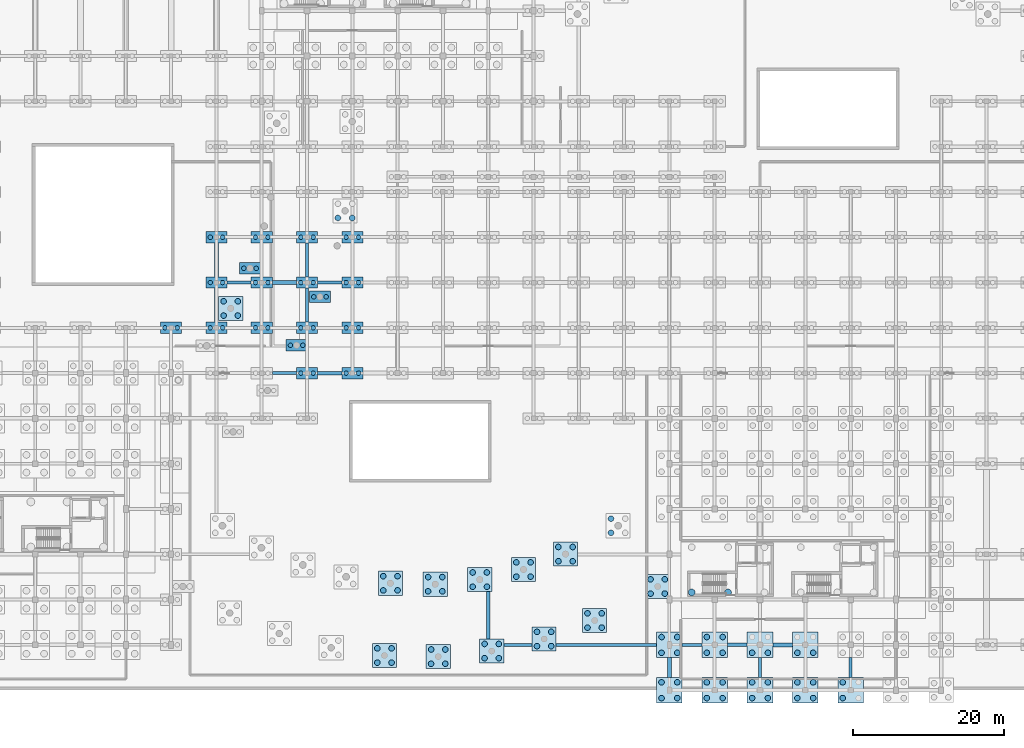
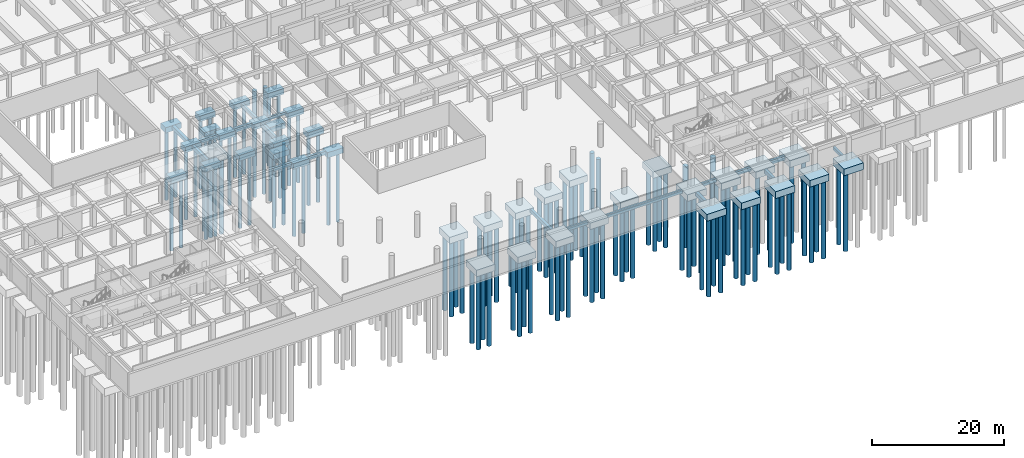
# One storey, part 3 of 41: 120 piles, 57 footings.
"""IFC4 building model written with IfcOpenShell, lengths in metres."""

from ifc_helpers import new_model, si_unit, direction, frame, origin, origin_2d, place, context, subcontext, project, spatial, polyline, rectangle, circle, outline, extrude, material, material_profile, profile_set, type_object, element, save


model = new_model("IFC4")

# Units and contexts
model_context = context("Model", 3, precision=1e-05, world=origin(), true_north=direction((0.0, 1.0)))
body_context = subcontext(model_context, "Body", "Model", "MODEL_VIEW")
ifc_project = project(units=[si_unit("LENGTHUNIT", "METRE"), si_unit("AREAUNIT", "SQUARE_METRE"), si_unit("VOLUMEUNIT", "CUBIC_METRE"), si_unit("PLANEANGLEUNIT", "RADIAN"), si_unit("MASSUNIT", "GRAM", prefix="KILO"), si_unit("POWERUNIT", "WATT"), si_unit("THERMODYNAMICTEMPERATUREUNIT", "KELVIN")], contexts=[model_context])

# Site, building, storey
site_placement = place(None, origin())
site = spatial("IfcSite", under=ifc_project, at=site_placement, CompositionType="ELEMENT")
building_placement = place(site_placement, origin())
building = spatial("IfcBuilding", under=site, at=building_placement, Name="Ruvembo Vaulted Housing Court", CompositionType="ELEMENT")
storey_placement = place(building_placement, frame((0.0, 0.0, -4.5)))
storey = spatial("IfcBuildingStorey", under=building, at=storey_placement, Name="B1", CompositionType="ELEMENT", Elevation=-4.5)

# Footings
ifc_material_1 = material(Name="Concrete C30/37", Category="concrete")
footing_type_1 = type_object("IfcFootingType", Name="GB-350x550", PredefinedType="FOOTING_BEAM", material=ifc_material_1)
footing_1_placement = place(storey_placement, frame((0.0, 0.0, -0.85009765625)))
element("IfcFooting", 1, at=footing_1_placement, inside=storey, type_object=footing_type_1, Name="Ground Tie Beam GB-090", PredefinedType="FOOTING_BEAM", context=body_context, shape_type="SweptSolid", body=[
    extrude(outline(polyline([(55.39990234375, 53.824951171875), (58.60009765625, 53.824951171875), (58.60009765625, 54.175048828125), (55.39990234375, 54.175048828125), (55.39990234375, 53.824951171875)])), origin(), (0.0, 0.0, 1.0), 0.550048828125),
])
footing_type_2 = type_object("IfcFootingType", Name="GB-380x580", PredefinedType="FOOTING_BEAM", material=ifc_material_1)
footing_2_placement = place(storey_placement, frame((0.0, 0.0, -0.8798828125)))
element("IfcFooting", 2, at=footing_2_placement, inside=storey, type_object=footing_type_2, Name="Ground Tie Beam GB-007", PredefinedType="FOOTING_BEAM", context=body_context, shape_type="SweptSolid", body=[
    extrude(outline(polyline([(80.061767578125, 5.81005859375), (83.802978515625, 5.81005859375), (83.802978515625, 6.18994140625), (80.061767578125, 6.18994140625), (80.061767578125, 5.81005859375)])), origin(), (0.0, 0.0, 1.0), 0.579833984375),
])
footing_3_placement = place(storey_placement, frame((0.0, 0.0, -0.8798828125)))
element("IfcFooting", 3, at=footing_3_placement, inside=storey, type_object=footing_type_2, Name="Ground Tie Beam GB-223", PredefinedType="FOOTING_BEAM", context=body_context, shape_type="SweptSolid", body=[
    extrude(outline(polyline([(53.81005859375, 48.75), (54.18994140625, 48.75), (54.18994140625, 53.25), (53.81005859375, 53.25), (53.81005859375, 48.75)])), origin(), (0.0, 0.0, 1.0), 0.579833984375),
])
footing_4_placement = place(storey_placement, frame((0.0, 0.0, -0.8798828125)))
element("IfcFooting", 4, at=footing_4_placement, inside=storey, type_object=footing_type_2, Name="Ground Tie Beam GB-283", PredefinedType="FOOTING_BEAM", context=body_context, shape_type="SweptSolid", body=[
    extrude(outline(polyline([(125.81005859375, 1.699951171875), (126.18994140625, 1.699951171875), (126.18994140625, 4.300048828125), (125.81005859375, 4.300048828125), (125.81005859375, 1.699951171875)])), origin(), (0.0, 0.0, 1.0), 0.579833984375),
])
footing_type_3 = type_object("IfcFootingType", Name="GB-400x600", PredefinedType="FOOTING_BEAM", material=ifc_material_1)
footing_5_placement = place(storey_placement, frame((0.0, 0.0, -0.89990234375)))
element("IfcFooting", 5, at=footing_5_placement, inside=storey, type_object=footing_type_3, Name="Ground Tie Beam GB-008", PredefinedType="FOOTING_BEAM", context=body_context, shape_type="SweptSolid", body=[
    extrude(outline(polyline([(87.003173828125, 5.800048828125), (100.300048828125, 5.800048828125), (100.300048828125, 6.199951171875), (87.003173828125, 6.199951171875), (87.003173828125, 5.800048828125)])), origin(), (0.0, 0.0, 1.0), 0.599853515625),
])
footing_6_placement = place(storey_placement, frame((0.0, 0.0, -0.89990234375)))
element("IfcFooting", 6, at=footing_6_placement, inside=storey, type_object=footing_type_3, Name="Ground Tie Beam GB-224", PredefinedType="FOOTING_BEAM", context=body_context, shape_type="SweptSolid", body=[
    extrude(outline(polyline([(53.800048828125, 54.75), (54.199951171875, 54.75), (54.199951171875, 59.25), (53.800048828125, 59.25), (53.800048828125, 54.75)])), origin(), (0.0, 0.0, 1.0), 0.599853515625),
])
footing_type_4 = type_object("IfcFootingType", Name="GB-420x620", PredefinedType="FOOTING_BEAM", material=ifc_material_1)
footing_7_placement = place(storey_placement, frame((0.0, 0.0, -0.919921875)))
element("IfcFooting", 7, at=footing_7_placement, inside=storey, type_object=footing_type_4, Name="Ground Tie Beam GB-009", PredefinedType="FOOTING_BEAM", context=body_context, shape_type="SweptSolid", body=[
    extrude(outline(polyline([(103.699951171875, 5.7900390625), (106.300048828125, 5.7900390625), (106.300048828125, 6.2099609375), (103.699951171875, 6.2099609375), (103.699951171875, 5.7900390625)])), origin(), (0.0, 0.0, 1.0), 0.619873046875),
])
footing_8_placement = place(storey_placement, frame((0.0, 0.0, -0.919921875)))
element("IfcFooting", 8, at=footing_8_placement, inside=storey, type_object=footing_type_4, Name="Ground Tie Beam GB-063", PredefinedType="FOOTING_BEAM", context=body_context, shape_type="SweptSolid", body=[
    extrude(outline(polyline([(49.39990234375, 41.7900390625), (52.60009765625, 41.7900390625), (52.60009765625, 42.2099609375), (49.39990234375, 42.2099609375), (49.39990234375, 41.7900390625)])), origin(), (0.0, 0.0, 1.0), 0.619873046875),
])
footing_9_placement = place(storey_placement, frame((0.0, 0.0, -0.919921875)))
element("IfcFooting", 9, at=footing_9_placement, inside=storey, type_object=footing_type_4, Name="Ground Tie Beam GB-273", PredefinedType="FOOTING_BEAM", context=body_context, shape_type="SweptSolid", body=[
    extrude(outline(polyline([(113.7900390625, 1.699951171875), (114.2099609375, 1.699951171875), (114.2099609375, 4.300048828125), (113.7900390625, 4.300048828125), (113.7900390625, 1.699951171875)])), origin(), (0.0, 0.0, 1.0), 0.619873046875),
])
footing_type_5 = type_object("IfcFootingType", Name="GB-450x650", PredefinedType="FOOTING_BEAM", material=ifc_material_1)
footing_10_placement = place(storey_placement, frame((0.0, 0.0, -0.949951171875)))
element("IfcFooting", 10, at=footing_10_placement, inside=storey, type_object=footing_type_5, Name="Ground Tie Beam GB-010", PredefinedType="FOOTING_BEAM", context=body_context, shape_type="SweptSolid", body=[
    extrude(outline(polyline([(109.699951171875, 5.77490234375), (112.300048828125, 5.77490234375), (112.300048828125, 6.22509765625), (109.699951171875, 6.22509765625), (109.699951171875, 5.77490234375)])), origin(), (0.0, 0.0, 1.0), 0.64990234375),
])
footing_11_placement = place(storey_placement, frame((0.0, 0.0, -0.949951171875)))
element("IfcFooting", 11, at=footing_11_placement, inside=storey, type_object=footing_type_5, Name="Ground Tie Beam GB-064", PredefinedType="FOOTING_BEAM", context=body_context, shape_type="SweptSolid", body=[
    extrude(outline(polyline([(55.39990234375, 41.77490234375), (58.60009765625, 41.77490234375), (58.60009765625, 42.22509765625), (55.39990234375, 42.22509765625), (55.39990234375, 41.77490234375)])), origin(), (0.0, 0.0, 1.0), 0.64990234375),
])
footing_12_placement = place(storey_placement, frame((0.0, 0.0, -0.949951171875)))
element("IfcFooting", 12, at=footing_12_placement, inside=storey, type_object=footing_type_5, Name="Ground Tie Beam GB-088", PredefinedType="FOOTING_BEAM", context=body_context, shape_type="SweptSolid", body=[
    extrude(outline(polyline([(43.39990234375, 53.77490234375), (46.60009765625, 53.77490234375), (46.60009765625, 54.22509765625), (43.39990234375, 54.22509765625), (43.39990234375, 53.77490234375)])), origin(), (0.0, 0.0, 1.0), 0.64990234375),
])
footing_13_placement = place(storey_placement, frame((0.0, 0.0, -0.949951171875)))
element("IfcFooting", 13, at=footing_13_placement, inside=storey, type_object=footing_type_5, Name="Ground Tie Beam GB-214", PredefinedType="FOOTING_BEAM", context=body_context, shape_type="SweptSolid", body=[
    extrude(outline(polyline([(41.77490234375, 48.75), (42.22509765625, 48.75), (42.22509765625, 53.25), (41.77490234375, 53.25), (41.77490234375, 48.75)])), origin(), (0.0, 0.0, 1.0), 0.64990234375),
])
footing_14_placement = place(storey_placement, frame((0.0, 0.0, -0.949951171875)))
element("IfcFooting", 14, at=footing_14_placement, inside=storey, type_object=footing_type_5, Name="Ground Tie Beam GB-244", PredefinedType="FOOTING_BEAM", context=body_context, shape_type="SweptSolid", body=[
    extrude(outline(polyline([(77.77490234375, 6.782470703125), (78.22509765625, 6.782470703125), (78.22509765625, 13.052001953125), (77.77490234375, 13.052001953125), (77.77490234375, 6.782470703125)])), origin(), (0.0, 0.0, 1.0), 0.64990234375),
])
footing_type_6 = type_object("IfcFootingType", Name="GB-500x700", PredefinedType="FOOTING_BEAM", material=ifc_material_1)
footing_15_placement = place(storey_placement, frame((0.0, 0.0, -1.0)))
element("IfcFooting", 15, at=footing_15_placement, inside=storey, type_object=footing_type_6, Name="Ground Tie Beam GB-011", PredefinedType="FOOTING_BEAM", context=body_context, shape_type="SweptSolid", body=[
    extrude(outline(polyline([(115.699951171875, 5.75), (118.300048828125, 5.75), (118.300048828125, 6.25), (115.699951171875, 6.25), (115.699951171875, 5.75)])), origin(), (0.0, 0.0, 1.0), 0.699951171875),
])
footing_16_placement = place(storey_placement, frame((0.0, 0.0, -1.0)))
element("IfcFooting", 16, at=footing_16_placement, inside=storey, type_object=footing_type_6, Name="Ground Tie Beam GB-089", PredefinedType="FOOTING_BEAM", context=body_context, shape_type="SweptSolid", body=[
    extrude(outline(polyline([(49.39990234375, 53.75), (52.60009765625, 53.75), (52.60009765625, 54.25), (49.39990234375, 54.25), (49.39990234375, 53.75)])), origin(), (0.0, 0.0, 1.0), 0.699951171875),
])
footing_17_placement = place(storey_placement, frame((0.0, 0.0, -1.0)))
element("IfcFooting", 17, at=footing_17_placement, inside=storey, type_object=footing_type_6, Name="Ground Tie Beam GB-215", PredefinedType="FOOTING_BEAM", context=body_context, shape_type="SweptSolid", body=[
    extrude(outline(polyline([(41.75, 54.75), (42.25, 54.75), (42.25, 59.25), (41.75, 59.25), (41.75, 54.75)])), origin(), (0.0, 0.0, 1.0), 0.699951171875),
])
footing_18_placement = place(storey_placement, frame((0.0, 0.0, -1.0)))
element("IfcFooting", 18, at=footing_18_placement, inside=storey, type_object=footing_type_6, Name="Ground Tie Beam GB-263", PredefinedType="FOOTING_BEAM", context=body_context, shape_type="SweptSolid", body=[
    extrude(outline(polyline([(101.75, 1.699951171875), (102.25, 1.699951171875), (102.25, 4.300048828125), (101.75, 4.300048828125), (101.75, 1.699951171875)])), origin(), (0.0, 0.0, 1.0), 0.699951171875),
])
ifc_material_2 = material(Name="Concrete C35/45", Category="concrete")
footing_type_7 = type_object("IfcFootingType", Name="PC-2P-A", PredefinedType="PILE_CAP", material=ifc_material_2)
for number, where, z_axis, x_axis, name in (
    (19, (36.0, 48.0, -1.300048828125), (0.0, 0.0, 1.0), (1.0, 0.0, 0.0), "Pile Cap PC1 #82"),
    (20, (42.0, 48.0, -1.300048828125), (0.0, 0.0, 1.0), (1.0, 0.0, 0.0), "Pile Cap PC1 #89"),
    (21, (42.0, 54.0, -1.300048828125), (0.0, 0.0, 1.0), (1.0, 0.0, 0.0), "Pile Cap PC1 #90"),
    (22, (42.0, 60.0, -1.300048828125), (0.0, 0.0, 1.0), (1.0, 0.0, 0.0), "Pile Cap PC1 #91"),
    (23, (48.0, 48.0, -1.300048828125), (0.0, 0.0, 1.0), (1.0, 0.0, 0.0), "Pile Cap PC1 #100"),
    (24, (48.0, 54.0, -1.300048828125), (0.0, 0.0, 1.0), (1.0, 0.0, 0.0), "Pile Cap PC1 #101"),
    (25, (48.0, 60.0, -1.300048828125), (0.0, 0.0, 1.0), (1.0, 0.0, 0.0), "Pile Cap PC1 #102"),
    (26, (54.0, 42.0, -1.300048828125), (0.0, 0.0, 1.0), (1.0, 0.0, 0.0), "Pile Cap PC1 #111"),
    (27, (54.0, 48.0, -1.300048828125), (0.0, 0.0, 1.0), (1.0, 0.0, 0.0), "Pile Cap PC1 #112"),
    (28, (54.0, 54.0, -1.300048828125), (0.0, 0.0, 1.0), (1.0, 0.0, 0.0), "Pile Cap PC1 #113"),
    (29, (54.0, 60.0, -1.300048828125), (0.0, 0.0, 1.0), (1.0, 0.0, 0.0), "Pile Cap PC1 #114"),
    (30, (60.0, 42.0, -1.300048828125), (0.0, 0.0, 1.0), (1.0, 0.0, 0.0), "Pile Cap PC1 #122"),
    (31, (60.0, 48.0, -1.300048828125), (0.0, 0.0, 1.0), (1.0, 0.0, 0.0), "Pile Cap PC1 #123"),
    (32, (60.0, 54.0, -1.300048828125), (0.0, 0.0, 1.0), (1.0, 0.0, 0.0), "Pile Cap PC1 #124"),
    (33, (60.0, 60.0, -1.300048828125), (0.0, 0.0, 1.0), (1.0, 0.0, 0.0), "Pile Cap PC1 #125"),
    (34, (52.620849609375, 45.688720703125, -1.300048828125), (0.0, 0.0, 1.0), (1.0, 0.0, 0.0), "Pile Cap PC1 #397"),
    (35, (46.449951171875, 55.8837890625, -1.300048828125), (0.0, 0.0, 1.0), (1.0, 0.0, 0.0), "Pile Cap PC1 #398"),
    (36, (55.71044921875, 52.109619140625, -1.300048828125), (0.0, 0.0, 1.0), (1.0, 0.0, 0.0), "Pile Cap PC1 #399"),
):
    element("IfcFooting", number, at=place(storey_placement, frame(where, z_axis=z_axis, x_axis=x_axis)), inside=storey, type_object=footing_type_7, Name=name, PredefinedType="PILE_CAP", context=body_context, shape_type="SweptSolid", body=[
        extrude(rectangle(XDim=2.800048828125, YDim=1.5, at=origin_2d()), origin(), (0.0, 0.0, 1.0), 1.0),
    ])
footing_type_8 = type_object("IfcFootingType", Name="PC-4P-A", PredefinedType="PILE_CAP", material=ifc_material_2)
for number, where, z_axis, x_axis, name in (
    (37, (43.89306640625, 50.570068359375, -1.5), (0.0, 0.0, 1.0), (1.0, 0.0, 0.0), "Pile Cap PC4 #396"),
    (38, (65.044189453125, 14.163330078125, -1.5), (0.0, 0.0, 1.0), (1.0, 0.0, 0.0), "Pile Cap PC4 #411"),
    (39, (64.2529296875, 4.595947265625, -1.5), (0.0, 0.0, 1.0), (1.0, 0.0, 0.0), "Pile Cap PC4 #412"),
    (40, (70.9794921875, 14.040771484375, -1.5), (0.0, 0.0, 1.0), (1.0, 0.0, 0.0), "Pile Cap PC4 #413"),
    (41, (71.37548828125, 4.448974609375, -1.5), (0.0, 0.0, 1.0), (1.0, 0.0, 0.0), "Pile Cap PC4 #414"),
    (42, (76.884765625, 14.652099609375, -1.5), (0.0, 0.0, 1.0), (1.0, 0.0, 0.0), "Pile Cap PC4 #415"),
    (43, (78.461669921875, 5.182373046875, -1.5), (0.0, 0.0, 1.0), (1.0, 0.0, 0.0), "Pile Cap PC4 #416"),
    (44, (82.669189453125, 15.987548828125, -1.5), (0.0, 0.0, 1.0), (1.0, 0.0, 0.0), "Pile Cap PC4 #417"),
    (45, (85.403076171875, 6.784912109375, -1.5), (0.0, 0.0, 1.0), (1.0, 0.0, 0.0), "Pile Cap PC4 #418"),
    (46, (88.24462890625, 18.02685546875, -1.5), (0.0, 0.0, 1.0), (1.0, 0.0, 0.0), "Pile Cap PC4 #419"),
    (47, (92.093505859375, 9.232177734375, -1.5), (0.0, 0.0, 1.0), (1.0, 0.0, 0.0), "Pile Cap PC4 #420"),
    (48, (100.44775390625, 13.742431640625, -1.5), (0.0, 0.0, 1.0), (1.0, 0.0, 0.0), "Pile Cap PC4 #422"),
):
    element("IfcFooting", number, at=place(storey_placement, frame(where, z_axis=z_axis, x_axis=x_axis)), inside=storey, type_object=footing_type_8, Name=name, PredefinedType="PILE_CAP", context=body_context, shape_type="SweptSolid", body=[
        extrude(rectangle(XDim=3.199951171875, YDim=3.199951171875, at=origin_2d()), origin(), (0.0, 0.0, 1.0), 1.199951171875),
    ])
footing_type_9 = type_object("IfcFootingType", Name="PC-4P-B", PredefinedType="PILE_CAP", material=ifc_material_2)
for number, where, z_axis, x_axis, name in (
    (49, (102.0, 0.0, -1.550048828125), (0.0, 0.0, 1.0), (1.0, 0.0, 0.0), "Pile Cap PC5 #202"),
    (50, (102.0, 6.0, -1.550048828125), (0.0, 0.0, 1.0), (1.0, 0.0, 0.0), "Pile Cap PC5 #203"),
    (51, (108.0, 0.0, -1.550048828125), (0.0, 0.0, 1.0), (1.0, 0.0, 0.0), "Pile Cap PC5 #215"),
    (52, (108.0, 6.0, -1.550048828125), (0.0, 0.0, 1.0), (1.0, 0.0, 0.0), "Pile Cap PC5 #216"),
    (53, (114.0, 0.0, -1.550048828125), (0.0, 0.0, 1.0), (1.0, 0.0, 0.0), "Pile Cap PC5 #228"),
    (54, (114.0, 6.0, -1.550048828125), (0.0, 0.0, 1.0), (1.0, 0.0, 0.0), "Pile Cap PC5 #229"),
    (55, (120.0, 0.0, -1.550048828125), (0.0, 0.0, 1.0), (1.0, 0.0, 0.0), "Pile Cap PC5 #238"),
    (56, (120.0, 6.0, -1.550048828125), (0.0, 0.0, 1.0), (1.0, 0.0, 0.0), "Pile Cap PC5 #239"),
    (57, (126.0, 0.0, -1.550048828125), (0.0, 0.0, 1.0), (1.0, 0.0, 0.0), "Pile Cap PC5 #248"),
):
    element("IfcFooting", number, at=place(storey_placement, frame(where, z_axis=z_axis, x_axis=x_axis)), inside=storey, type_object=footing_type_9, Name=name, PredefinedType="PILE_CAP", context=body_context, shape_type="SweptSolid", body=[
        extrude(rectangle(XDim=3.39990234375, YDim=3.39990234375, at=origin_2d()), origin(), (0.0, 0.0, 1.0), 1.25),
    ])

# Piles
ifc_material_profile_1 = material_profile(ifc_material_1, circle(Radius=0.300048828125, at=origin_2d()), Name="PILE D600")
ifc_profile_set_1 = profile_set([ifc_material_profile_1], Name="Concrete C30/37")
pile_type_1 = type_object("IfcPileType", Name="PILE-BORED-600", PredefinedType="BORED", material=ifc_profile_set_1)
for number, where, z_axis, x_axis, name in (
    (58, (35.179931640625, 48.0, -1.199951171875), (0.0, 0.0, -1.0), (1.0, 0.0, 0.0), "Bored Pile PILE-0265"),
    (59, (36.820068359375, 48.0, -1.199951171875), (0.0, 0.0, -1.0), (1.0, 0.0, 0.0), "Bored Pile PILE-0266"),
    (60, (41.179931640625, 48.0, -1.199951171875), (0.0, 0.0, -1.0), (1.0, 0.0, 0.0), "Bored Pile PILE-0279"),
    (61, (42.820068359375, 48.0, -1.199951171875), (0.0, 0.0, -1.0), (1.0, 0.0, 0.0), "Bored Pile PILE-0280"),
    (62, (41.179931640625, 54.0, -1.199951171875), (0.0, 0.0, -1.0), (1.0, 0.0, 0.0), "Bored Pile PILE-0281"),
    (63, (42.820068359375, 54.0, -1.199951171875), (0.0, 0.0, -1.0), (1.0, 0.0, 0.0), "Bored Pile PILE-0282"),
    (64, (41.179931640625, 60.0, -1.199951171875), (0.0, 0.0, -1.0), (1.0, 0.0, 0.0), "Bored Pile PILE-0283"),
    (65, (42.820068359375, 60.0, -1.199951171875), (0.0, 0.0, -1.0), (1.0, 0.0, 0.0), "Bored Pile PILE-0284"),
    (66, (47.179931640625, 48.0, -1.199951171875), (0.0, 0.0, -1.0), (1.0, 0.0, 0.0), "Bored Pile PILE-0301"),
    (67, (48.820068359375, 48.0, -1.199951171875), (0.0, 0.0, -1.0), (1.0, 0.0, 0.0), "Bored Pile PILE-0302"),
    (68, (47.179931640625, 54.0, -1.199951171875), (0.0, 0.0, -1.0), (1.0, 0.0, 0.0), "Bored Pile PILE-0303"),
    (69, (48.820068359375, 54.0, -1.199951171875), (0.0, 0.0, -1.0), (1.0, 0.0, 0.0), "Bored Pile PILE-0304"),
    (70, (47.179931640625, 60.0, -1.199951171875), (0.0, 0.0, -1.0), (1.0, 0.0, 0.0), "Bored Pile PILE-0305"),
    (71, (48.820068359375, 60.0, -1.199951171875), (0.0, 0.0, -1.0), (1.0, 0.0, 0.0), "Bored Pile PILE-0306"),
    (72, (53.179931640625, 42.0, -1.199951171875), (0.0, 0.0, -1.0), (1.0, 0.0, 0.0), "Bored Pile PILE-0331"),
    (73, (54.820068359375, 42.0, -1.199951171875), (0.0, 0.0, -1.0), (1.0, 0.0, 0.0), "Bored Pile PILE-0332"),
    (74, (53.179931640625, 48.0, -1.199951171875), (0.0, 0.0, -1.0), (1.0, 0.0, 0.0), "Bored Pile PILE-0333"),
    (75, (54.820068359375, 48.0, -1.199951171875), (0.0, 0.0, -1.0), (1.0, 0.0, 0.0), "Bored Pile PILE-0334"),
    (76, (53.179931640625, 54.0, -1.199951171875), (0.0, 0.0, -1.0), (1.0, 0.0, 0.0), "Bored Pile PILE-0335"),
    (77, (54.820068359375, 54.0, -1.199951171875), (0.0, 0.0, -1.0), (1.0, 0.0, 0.0), "Bored Pile PILE-0336"),
    (78, (53.179931640625, 60.0, -1.199951171875), (0.0, 0.0, -1.0), (1.0, 0.0, 0.0), "Bored Pile PILE-0337"),
    (79, (54.820068359375, 60.0, -1.199951171875), (0.0, 0.0, -1.0), (1.0, 0.0, 0.0), "Bored Pile PILE-0338"),
    (80, (59.179931640625, 42.0, -1.199951171875), (0.0, 0.0, -1.0), (1.0, 0.0, 0.0), "Bored Pile PILE-0361"),
    (81, (60.820068359375, 42.0, -1.199951171875), (0.0, 0.0, -1.0), (1.0, 0.0, 0.0), "Bored Pile PILE-0362"),
    (82, (59.179931640625, 48.0, -1.199951171875), (0.0, 0.0, -1.0), (1.0, 0.0, 0.0), "Bored Pile PILE-0363"),
    (83, (60.820068359375, 48.0, -1.199951171875), (0.0, 0.0, -1.0), (1.0, 0.0, 0.0), "Bored Pile PILE-0364"),
    (84, (59.179931640625, 54.0, -1.199951171875), (0.0, 0.0, -1.0), (1.0, 0.0, 0.0), "Bored Pile PILE-0365"),
    (85, (60.820068359375, 54.0, -1.199951171875), (0.0, 0.0, -1.0), (1.0, 0.0, 0.0), "Bored Pile PILE-0366"),
    (86, (59.179931640625, 60.0, -1.199951171875), (0.0, 0.0, -1.0), (1.0, 0.0, 0.0), "Bored Pile PILE-0367"),
    (87, (60.820068359375, 60.0, -1.199951171875), (0.0, 0.0, -1.0), (1.0, 0.0, 0.0), "Bored Pile PILE-0368"),
):
    element("IfcPile", number, at=place(storey_placement, frame(where, z_axis=z_axis, x_axis=x_axis)), inside=storey, type_object=pile_type_1, Name=name, PredefinedType="BORED", context=body_context, shape_type="SweptSolid", body=[
        extrude(circle(Radius=0.300048828125, at=origin_2d()), origin(), (0.0, 0.0, 1.0), 13.0),
    ])
for number, where, z_axis, x_axis, name in (
    (88, (51.80078125, 45.688720703125, -1.199951171875), (0.0, 0.0, -1.0), (1.0, 0.0, 0.0), "Bored Pile PILE-1067"),
    (89, (53.44091796875, 45.688720703125, -1.199951171875), (0.0, 0.0, -1.0), (1.0, 0.0, 0.0), "Bored Pile PILE-1068"),
    (90, (45.6298828125, 55.8837890625, -1.199951171875), (0.0, 0.0, -1.0), (1.0, 0.0, 0.0), "Bored Pile PILE-1069"),
    (91, (47.27001953125, 55.8837890625, -1.199951171875), (0.0, 0.0, -1.0), (1.0, 0.0, 0.0), "Bored Pile PILE-1070"),
    (92, (54.890380859375, 52.109619140625, -1.199951171875), (0.0, 0.0, -1.0), (1.0, 0.0, 0.0), "Bored Pile PILE-1071"),
    (93, (56.530517578125, 52.109619140625, -1.199951171875), (0.0, 0.0, -1.0), (1.0, 0.0, 0.0), "Bored Pile PILE-1072"),
):
    element("IfcPile", number, at=place(storey_placement, frame(where, z_axis=z_axis, x_axis=x_axis)), inside=storey, type_object=pile_type_1, Name=name, PredefinedType="BORED", context=body_context, shape_type="SweptSolid", body=[
        extrude(circle(Radius=0.300048828125, at=origin_2d()), origin(), (0.0, 0.0, 1.0), 13.199951171875),
    ])
ifc_material_profile_2 = material_profile(ifc_material_1, circle(Radius=0.375, at=origin_2d()), Name="PILE D750")
ifc_profile_set_2 = profile_set([ifc_material_profile_2], Name="Concrete C30/37")
pile_type_2 = type_object("IfcPileType", Name="PILE-BORED-750", PredefinedType="BORED", material=ifc_profile_set_2)
for number, where, z_axis, x_axis, name in (
    (94, (100.955078125, -1.044921875, -1.449951171875), (0.0, 0.0, -1.0), (1.0, 0.0, 0.0), "Bored Pile PILE-0553"),
    (95, (103.044921875, -1.044921875, -1.449951171875), (0.0, 0.0, -1.0), (1.0, 0.0, 0.0), "Bored Pile PILE-0554"),
    (96, (100.955078125, 1.044921875, -1.449951171875), (0.0, 0.0, -1.0), (1.0, 0.0, 0.0), "Bored Pile PILE-0555"),
    (97, (103.044921875, 1.044921875, -1.449951171875), (0.0, 0.0, -1.0), (1.0, 0.0, 0.0), "Bored Pile PILE-0556"),
    (98, (100.955078125, 4.955078125, -1.449951171875), (0.0, 0.0, -1.0), (1.0, 0.0, 0.0), "Bored Pile PILE-0557"),
    (99, (103.044921875, 4.955078125, -1.449951171875), (0.0, 0.0, -1.0), (1.0, 0.0, 0.0), "Bored Pile PILE-0558"),
    (100, (100.955078125, 7.044921875, -1.449951171875), (0.0, 0.0, -1.0), (1.0, 0.0, 0.0), "Bored Pile PILE-0559"),
    (101, (103.044921875, 7.044921875, -1.449951171875), (0.0, 0.0, -1.0), (1.0, 0.0, 0.0), "Bored Pile PILE-0560"),
    (102, (106.955078125, -1.044921875, -1.449951171875), (0.0, 0.0, -1.0), (1.0, 0.0, 0.0), "Bored Pile PILE-0589"),
    (103, (109.044921875, -1.044921875, -1.449951171875), (0.0, 0.0, -1.0), (1.0, 0.0, 0.0), "Bored Pile PILE-0590"),
    (104, (106.955078125, 1.044921875, -1.449951171875), (0.0, 0.0, -1.0), (1.0, 0.0, 0.0), "Bored Pile PILE-0591"),
    (105, (109.044921875, 1.044921875, -1.449951171875), (0.0, 0.0, -1.0), (1.0, 0.0, 0.0), "Bored Pile PILE-0592"),
    (106, (106.955078125, 4.955078125, -1.449951171875), (0.0, 0.0, -1.0), (1.0, 0.0, 0.0), "Bored Pile PILE-0593"),
    (107, (109.044921875, 4.955078125, -1.449951171875), (0.0, 0.0, -1.0), (1.0, 0.0, 0.0), "Bored Pile PILE-0594"),
    (108, (106.955078125, 7.044921875, -1.449951171875), (0.0, 0.0, -1.0), (1.0, 0.0, 0.0), "Bored Pile PILE-0595"),
    (109, (109.044921875, 7.044921875, -1.449951171875), (0.0, 0.0, -1.0), (1.0, 0.0, 0.0), "Bored Pile PILE-0596"),
    (110, (112.955078125, -1.044921875, -1.449951171875), (0.0, 0.0, -1.0), (1.0, 0.0, 0.0), "Bored Pile PILE-0625"),
    (111, (115.044921875, -1.044921875, -1.449951171875), (0.0, 0.0, -1.0), (1.0, 0.0, 0.0), "Bored Pile PILE-0626"),
    (112, (112.955078125, 1.044921875, -1.449951171875), (0.0, 0.0, -1.0), (1.0, 0.0, 0.0), "Bored Pile PILE-0627"),
    (113, (115.044921875, 1.044921875, -1.449951171875), (0.0, 0.0, -1.0), (1.0, 0.0, 0.0), "Bored Pile PILE-0628"),
    (114, (112.955078125, 4.955078125, -1.449951171875), (0.0, 0.0, -1.0), (1.0, 0.0, 0.0), "Bored Pile PILE-0629"),
    (115, (115.044921875, 4.955078125, -1.449951171875), (0.0, 0.0, -1.0), (1.0, 0.0, 0.0), "Bored Pile PILE-0630"),
    (116, (118.955078125, -1.044921875, -1.449951171875), (0.0, 0.0, -1.0), (1.0, 0.0, 0.0), "Bored Pile PILE-0655"),
    (117, (121.044921875, -1.044921875, -1.449951171875), (0.0, 0.0, -1.0), (1.0, 0.0, 0.0), "Bored Pile PILE-0656"),
    (118, (118.955078125, 1.044921875, -1.449951171875), (0.0, 0.0, -1.0), (1.0, 0.0, 0.0), "Bored Pile PILE-0657"),
    (119, (121.044921875, 1.044921875, -1.449951171875), (0.0, 0.0, -1.0), (1.0, 0.0, 0.0), "Bored Pile PILE-0658"),
    (120, (118.955078125, 4.955078125, -1.449951171875), (0.0, 0.0, -1.0), (1.0, 0.0, 0.0), "Bored Pile PILE-0659"),
    (121, (121.044921875, 4.955078125, -1.449951171875), (0.0, 0.0, -1.0), (1.0, 0.0, 0.0), "Bored Pile PILE-0660"),
    (122, (124.955078125, -1.044921875, -1.449951171875), (0.0, 0.0, -1.0), (1.0, 0.0, 0.0), "Bored Pile PILE-0685"),
    (123, (124.955078125, 1.044921875, -1.449951171875), (0.0, 0.0, -1.0), (1.0, 0.0, 0.0), "Bored Pile PILE-0687"),
):
    element("IfcPile", number, at=place(storey_placement, frame(where, z_axis=z_axis, x_axis=x_axis)), inside=storey, type_object=pile_type_2, Name=name, PredefinedType="BORED", context=body_context, shape_type="SweptSolid", body=[
        extrude(circle(Radius=0.375, at=origin_2d()), origin(), (0.0, 0.0, 1.0), 14.5),
    ])
for number, where, z_axis, x_axis, name in (
    (124, (42.947998046875, 49.625, -1.39990234375), (0.0, 0.0, -1.0), (1.0, 0.0, 0.0), "Bored Pile PILE-1063"),
    (125, (44.838134765625, 49.625, -1.39990234375), (0.0, 0.0, -1.0), (1.0, 0.0, 0.0), "Bored Pile PILE-1064"),
    (126, (42.947998046875, 51.514892578125, -1.39990234375), (0.0, 0.0, -1.0), (1.0, 0.0, 0.0), "Bored Pile PILE-1065"),
    (127, (44.838134765625, 51.514892578125, -1.39990234375), (0.0, 0.0, -1.0), (1.0, 0.0, 0.0), "Bored Pile PILE-1066"),
    (128, (58.095703125, 62.55029296875, -1.39990234375), (0.0, 0.0, -1.0), (1.0, 0.0, 0.0), "Bored Pile PILE-1073"),
    (129, (59.98583984375, 62.55029296875, -1.39990234375), (0.0, 0.0, -1.0), (1.0, 0.0, 0.0), "Bored Pile PILE-1074"),
    (130, (64.09912109375, 13.21826171875, -1.39990234375), (0.0, 0.0, -1.0), (1.0, 0.0, 0.0), "Bored Pile PILE-1115"),
    (131, (65.9892578125, 13.21826171875, -1.39990234375), (0.0, 0.0, -1.0), (1.0, 0.0, 0.0), "Bored Pile PILE-1116"),
    (132, (64.09912109375, 15.1083984375, -1.39990234375), (0.0, 0.0, -1.0), (1.0, 0.0, 0.0), "Bored Pile PILE-1117"),
    (133, (65.9892578125, 15.1083984375, -1.39990234375), (0.0, 0.0, -1.0), (1.0, 0.0, 0.0), "Bored Pile PILE-1118"),
    (134, (63.30810546875, 3.65087890625, -1.39990234375), (0.0, 0.0, -1.0), (1.0, 0.0, 0.0), "Bored Pile PILE-1119"),
    (135, (65.197998046875, 3.65087890625, -1.39990234375), (0.0, 0.0, -1.0), (1.0, 0.0, 0.0), "Bored Pile PILE-1120"),
    (136, (63.30810546875, 5.541015625, -1.39990234375), (0.0, 0.0, -1.0), (1.0, 0.0, 0.0), "Bored Pile PILE-1121"),
    (137, (65.197998046875, 5.541015625, -1.39990234375), (0.0, 0.0, -1.0), (1.0, 0.0, 0.0), "Bored Pile PILE-1122"),
    (138, (70.03466796875, 13.095703125, -1.39990234375), (0.0, 0.0, -1.0), (1.0, 0.0, 0.0), "Bored Pile PILE-1123"),
    (139, (71.924560546875, 13.095703125, -1.39990234375), (0.0, 0.0, -1.0), (1.0, 0.0, 0.0), "Bored Pile PILE-1124"),
    (140, (70.03466796875, 14.98583984375, -1.39990234375), (0.0, 0.0, -1.0), (1.0, 0.0, 0.0), "Bored Pile PILE-1125"),
    (141, (71.924560546875, 14.98583984375, -1.39990234375), (0.0, 0.0, -1.0), (1.0, 0.0, 0.0), "Bored Pile PILE-1126"),
    (142, (70.430419921875, 3.50390625, -1.39990234375), (0.0, 0.0, -1.0), (1.0, 0.0, 0.0), "Bored Pile PILE-1127"),
    (143, (72.320556640625, 3.50390625, -1.39990234375), (0.0, 0.0, -1.0), (1.0, 0.0, 0.0), "Bored Pile PILE-1128"),
    (144, (70.430419921875, 5.39404296875, -1.39990234375), (0.0, 0.0, -1.0), (1.0, 0.0, 0.0), "Bored Pile PILE-1129"),
    (145, (72.320556640625, 5.39404296875, -1.39990234375), (0.0, 0.0, -1.0), (1.0, 0.0, 0.0), "Bored Pile PILE-1130"),
    (146, (75.939697265625, 13.70703125, -1.39990234375), (0.0, 0.0, -1.0), (1.0, 0.0, 0.0), "Bored Pile PILE-1131"),
    (147, (77.82958984375, 13.70703125, -1.39990234375), (0.0, 0.0, -1.0), (1.0, 0.0, 0.0), "Bored Pile PILE-1132"),
    (148, (75.939697265625, 15.596923828125, -1.39990234375), (0.0, 0.0, -1.0), (1.0, 0.0, 0.0), "Bored Pile PILE-1133"),
    (149, (77.82958984375, 15.596923828125, -1.39990234375), (0.0, 0.0, -1.0), (1.0, 0.0, 0.0), "Bored Pile PILE-1134"),
    (150, (77.5166015625, 4.2373046875, -1.39990234375), (0.0, 0.0, -1.0), (1.0, 0.0, 0.0), "Bored Pile PILE-1135"),
    (151, (79.40673828125, 4.2373046875, -1.39990234375), (0.0, 0.0, -1.0), (1.0, 0.0, 0.0), "Bored Pile PILE-1136"),
    (152, (77.5166015625, 6.12744140625, -1.39990234375), (0.0, 0.0, -1.0), (1.0, 0.0, 0.0), "Bored Pile PILE-1137"),
    (153, (79.40673828125, 6.12744140625, -1.39990234375), (0.0, 0.0, -1.0), (1.0, 0.0, 0.0), "Bored Pile PILE-1138"),
    (154, (81.72412109375, 15.04248046875, -1.39990234375), (0.0, 0.0, -1.0), (1.0, 0.0, 0.0), "Bored Pile PILE-1139"),
    (155, (83.6142578125, 15.04248046875, -1.39990234375), (0.0, 0.0, -1.0), (1.0, 0.0, 0.0), "Bored Pile PILE-1140"),
    (156, (81.72412109375, 16.9326171875, -1.39990234375), (0.0, 0.0, -1.0), (1.0, 0.0, 0.0), "Bored Pile PILE-1141"),
    (157, (83.6142578125, 16.9326171875, -1.39990234375), (0.0, 0.0, -1.0), (1.0, 0.0, 0.0), "Bored Pile PILE-1142"),
    (158, (84.4580078125, 5.840087890625, -1.39990234375), (0.0, 0.0, -1.0), (1.0, 0.0, 0.0), "Bored Pile PILE-1143"),
    (159, (86.34814453125, 5.840087890625, -1.39990234375), (0.0, 0.0, -1.0), (1.0, 0.0, 0.0), "Bored Pile PILE-1144"),
    (160, (84.4580078125, 7.72998046875, -1.39990234375), (0.0, 0.0, -1.0), (1.0, 0.0, 0.0), "Bored Pile PILE-1145"),
    (161, (86.34814453125, 7.72998046875, -1.39990234375), (0.0, 0.0, -1.0), (1.0, 0.0, 0.0), "Bored Pile PILE-1146"),
    (162, (87.2998046875, 17.081787109375, -1.39990234375), (0.0, 0.0, -1.0), (1.0, 0.0, 0.0), "Bored Pile PILE-1147"),
    (163, (89.189697265625, 17.081787109375, -1.39990234375), (0.0, 0.0, -1.0), (1.0, 0.0, 0.0), "Bored Pile PILE-1148"),
    (164, (87.2998046875, 18.9716796875, -1.39990234375), (0.0, 0.0, -1.0), (1.0, 0.0, 0.0), "Bored Pile PILE-1149"),
    (165, (89.189697265625, 18.9716796875, -1.39990234375), (0.0, 0.0, -1.0), (1.0, 0.0, 0.0), "Bored Pile PILE-1150"),
    (166, (91.148681640625, 8.287109375, -1.39990234375), (0.0, 0.0, -1.0), (1.0, 0.0, 0.0), "Bored Pile PILE-1151"),
    (167, (93.03857421875, 8.287109375, -1.39990234375), (0.0, 0.0, -1.0), (1.0, 0.0, 0.0), "Bored Pile PILE-1152"),
    (168, (91.148681640625, 10.17724609375, -1.39990234375), (0.0, 0.0, -1.0), (1.0, 0.0, 0.0), "Bored Pile PILE-1153"),
    (169, (93.03857421875, 10.17724609375, -1.39990234375), (0.0, 0.0, -1.0), (1.0, 0.0, 0.0), "Bored Pile PILE-1154"),
    (170, (94.261474609375, 20.84033203125, -1.39990234375), (0.0, 0.0, -1.0), (1.0, 0.0, 0.0), "Bored Pile PILE-1155"),
    (171, (94.261474609375, 22.730224609375, -1.39990234375), (0.0, 0.0, -1.0), (1.0, 0.0, 0.0), "Bored Pile PILE-1157"),
    (172, (99.502685546875, 12.79736328125, -1.39990234375), (0.0, 0.0, -1.0), (1.0, 0.0, 0.0), "Bored Pile PILE-1159"),
    (173, (101.392822265625, 12.79736328125, -1.39990234375), (0.0, 0.0, -1.0), (1.0, 0.0, 0.0), "Bored Pile PILE-1160"),
    (174, (99.502685546875, 14.6875, -1.39990234375), (0.0, 0.0, -1.0), (1.0, 0.0, 0.0), "Bored Pile PILE-1161"),
    (175, (101.392822265625, 14.6875, -1.39990234375), (0.0, 0.0, -1.0), (1.0, 0.0, 0.0), "Bored Pile PILE-1162"),
):
    element("IfcPile", number, at=place(storey_placement, frame(where, z_axis=z_axis, x_axis=x_axis)), inside=storey, type_object=pile_type_2, Name=name, PredefinedType="BORED", context=body_context, shape_type="SweptSolid", body=[
        extrude(circle(Radius=0.375, at=origin_2d()), origin(), (0.0, 0.0, 1.0), 14.0),
    ])
ifc_material_profile_3 = material_profile(ifc_material_1, circle(Radius=0.449951171875, at=origin_2d()), Name="PILE D900")
ifc_profile_set_3 = profile_set([ifc_material_profile_3], Name="Concrete C30/37")
pile_type_3 = type_object("IfcPileType", Name="PILE-BORED-900", PredefinedType="BORED", material=ifc_profile_set_3)
for number, where, z_axis, x_axis, name in (
    (176, (104.949951171875, 12.949951171875, -1.679931640625), (0.0, 0.0, -1.0), (1.0, 0.0, 0.0), "Bored Pile PILE-0025"),
    (177, (109.77001953125, 12.949951171875, -1.679931640625), (0.0, 0.0, -1.0), (1.0, 0.0, 0.0), "Bored Pile PILE-0027"),
):
    element("IfcPile", number, at=place(storey_placement, frame(where, z_axis=z_axis, x_axis=x_axis)), inside=storey, type_object=pile_type_3, Name=name, PredefinedType="BORED", context=body_context, shape_type="SweptSolid", body=[
        extrude(circle(Radius=0.449951171875, at=origin_2d()), origin(), (0.0, 0.0, 1.0), 15.0),
    ])

save(model, "model.ifc")
